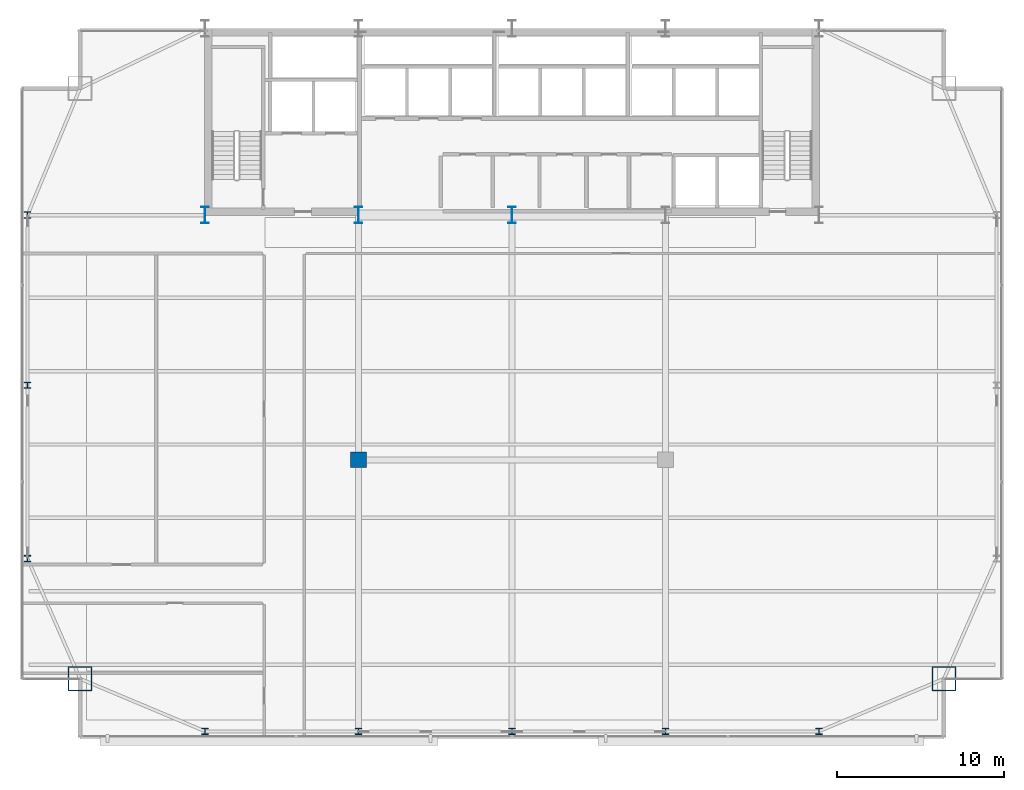
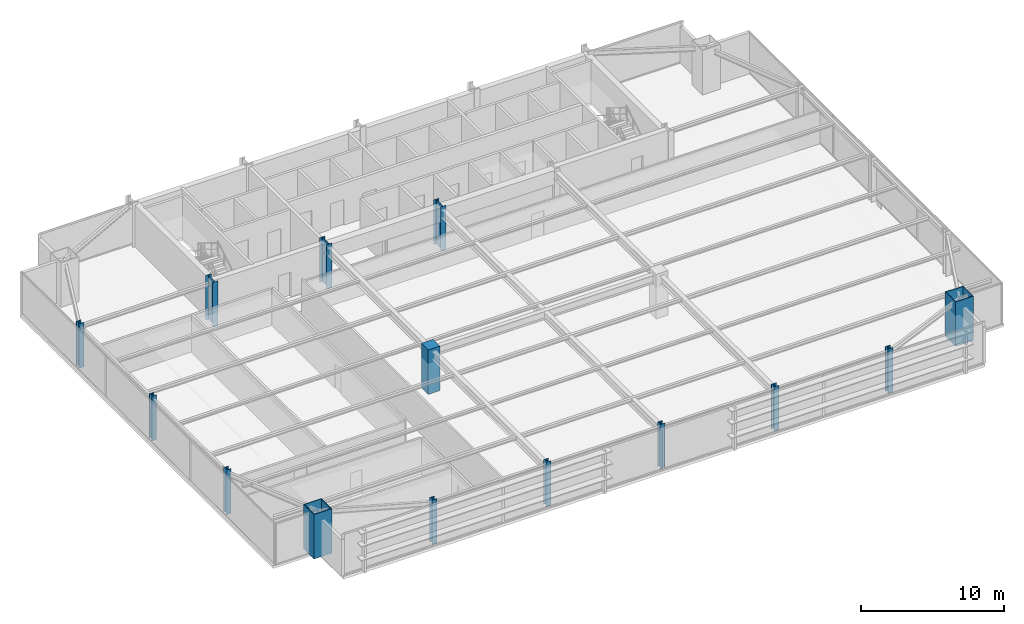
# One storey, part 1 of 32: 14 columns.
"""IFC4 building model written with IfcOpenShell, lengths in metres."""

from ifc_helpers import new_model, si_unit, direction, frame, origin, origin_2d, place, context, subcontext, project, spatial, rectangle, hollow_rectangle, i_section, extrude, source, transform, mapped, material, material_profile, profile_set, type_object, type_shapes, element, save


model = new_model("IFC4")

# Units and contexts
model_context = context("Model", 3, precision=1e-05, world=origin(), true_north=direction((0.0, 1.0)))
body_context = subcontext(model_context, "Body", "Model", "MODEL_VIEW")
ifc_project = project(units=[si_unit("LENGTHUNIT", "METRE"), si_unit("AREAUNIT", "SQUARE_METRE"), si_unit("VOLUMEUNIT", "CUBIC_METRE"), si_unit("PLANEANGLEUNIT", "RADIAN"), si_unit("MASSUNIT", "GRAM", prefix="KILO")], contexts=[model_context])

# Site, building, storey
site_placement = place(None, origin())
site = spatial("IfcSite", under=ifc_project, at=site_placement, CompositionType="ELEMENT")
building_placement = place(site_placement, origin())
building = spatial("IfcBuilding", under=site, at=building_placement, Name="Varnel Quay Broadcast Tower", CompositionType="ELEMENT")
storey_placement = place(building_placement, frame((0.0, 0.0, 90.800048828125)))
storey = spatial("IfcBuildingStorey", under=building, at=storey_placement, Name="L21", CompositionType="ELEMENT", Elevation=90.800048828125)

# Columns
ifc_material_1 = material(Name="Structural Steel CSA G40.21 350WT", Category="steel")
ifc_material_profile_1 = material_profile(ifc_material_1, i_section(OverallWidth=0.449951171875, OverallDepth=1.0, WebThickness=0.01611328125, FlangeThickness=0.030029296875, FilletRadius=0.01611328125, at=origin_2d()), Name="WWF1000X362")
ifc_profile_set_1 = profile_set([ifc_material_profile_1], Name="Structural Steel CSA G40.21 350WT")
column_type_1 = type_object("IfcColumnType", Name="Col_WWF1000X362", PredefinedType="COLUMN", material=ifc_profile_set_1)
shared_shape_1 = source(origin(), body_context, "Body", "SweptSolid", [
    extrude(i_section(OverallWidth=0.449951171875, OverallDepth=1.0, WebThickness=0.01611328125, FlangeThickness=0.030029296875, FilletRadius=0.01611328125, at=origin_2d()), origin(), (0.0, 0.0, 1.0), 3.800048828125),
])
type_shapes(column_type_1, [shared_shape_1])
for number, where, z_axis, x_axis, name in (
    (1, (15.60009765625, 35.60009765625, 0.0), (0.0, 0.0, 1.0), (1.0, 0.0, 0.0), "L21 Column CC-S1"),
    (2, (24.800048828125, 35.60009765625, 0.0), (0.0, 0.0, 1.0), (1.0, 0.0, 0.0), "L21 Column CC-S2"),
    (3, (34.0, 35.60009765625, 0.0), (0.0, 0.0, 1.0), (1.0, 0.0, 0.0), "L21 Column CC-S3"),
):
    element("IfcColumn", number, at=place(storey_placement, frame(where, z_axis=z_axis, x_axis=x_axis)), inside=storey, type_object=column_type_1, Name=name, PredefinedType="COLUMN", context=body_context, shape_type="MappedRepresentation", body=[
        mapped(shared_shape_1, transform((0.0, 0.0, 0.0), x_axis=(1.0, 0.0, 0.0), y_axis=(0.0, 1.0, 0.0), z_axis=(0.0, 0.0, 1.0), scale=1.0)),
    ])
ifc_material_profile_2 = material_profile(ifc_material_1, hollow_rectangle(XDim=1.449951171875, YDim=1.449951171875, WallThickness=0.054931640625, at=origin_2d()), Name="BOX1450X1450X55")
ifc_profile_set_2 = profile_set([ifc_material_profile_2], Name="Structural Steel CSA G40.21 350WT")
column_type_2 = type_object("IfcColumnType", Name="Col_BOX1450X1450X55", PredefinedType="COLUMN", material=ifc_profile_set_2)
shared_shape_2 = source(origin(), body_context, "Body", "SweptSolid", [
    extrude(hollow_rectangle(XDim=1.449951171875, YDim=1.449951171875, WallThickness=0.054931640625, at=origin_2d()), origin(), (0.0, 0.0, 1.0), 3.800048828125),
])
type_shapes(column_type_2, [shared_shape_2])
for number, where, z_axis, x_axis, name in (
    (4, (8.10009765625, 7.800048828125, 0.0), (0.0, 0.0, 1.0), (1.0, 0.0, 0.0), "L21 Column MC-SW"),
    (5, (59.89990234375, 7.800048828125, 0.0), (0.0, 0.0, 1.0), (1.0, 0.0, 0.0), "L21 Column MC-SE"),
):
    element("IfcColumn", number, at=place(storey_placement, frame(where, z_axis=z_axis, x_axis=x_axis)), inside=storey, type_object=column_type_2, Name=name, PredefinedType="COLUMN", context=body_context, shape_type="MappedRepresentation", body=[
        mapped(shared_shape_2, transform((0.0, 0.0, 0.0), x_axis=(1.0, 0.0, 0.0), y_axis=(0.0, 1.0, 0.0), z_axis=(0.0, 0.0, 1.0), scale=1.0)),
    ])
ifc_material_2 = material(Name="Structural Steel CSA G40.21 350W", Category="steel")
ifc_material_profile_3 = material_profile(ifc_material_2, i_section(OverallWidth=0.39794921875, OverallDepth=0.386962890625, WebThickness=0.02099609375, FlangeThickness=0.033203125, FilletRadius=0.01806640625, at=origin_2d()), Name="W360X262")
ifc_profile_set_3 = profile_set([ifc_material_profile_3], Name="Structural Steel CSA G40.21 350W")
column_type_3 = type_object("IfcColumnType", Name="Col_W360X262", PredefinedType="COLUMN", material=ifc_profile_set_3)
shared_shape_3 = source(origin(), body_context, "Body", "SweptSolid", [
    extrude(i_section(OverallWidth=0.39794921875, OverallDepth=0.386962890625, WebThickness=0.02099609375, FlangeThickness=0.033203125, FilletRadius=0.01806640625, at=origin_2d()), origin(), (0.0, 0.0, 1.0), 3.800048828125),
])
type_shapes(column_type_3, [shared_shape_3])
for number, where, z_axis, x_axis, name in (
    (6, (15.60009765625, 4.64990234375, 0.0), (0.0, 0.0, 1.0), (1.0, 0.0, 0.0), "L21 Column TC-S1"),
    (7, (24.800048828125, 4.64990234375, 0.0), (0.0, 0.0, 1.0), (1.0, 0.0, 0.0), "L21 Column TC-S2"),
    (8, (34.0, 4.64990234375, 0.0), (0.0, 0.0, 1.0), (1.0, 0.0, 0.0), "L21 Column TC-S3"),
    (9, (43.199951171875, 4.64990234375, 0.0), (0.0, 0.0, 1.0), (1.0, 0.0, 0.0), "L21 Column TC-S4"),
    (10, (52.39990234375, 4.64990234375, 0.0), (0.0, 0.0, 1.0), (1.0, 0.0, 0.0), "L21 Column TC-S5"),
    (11, (4.949951171875, 15.0, 0.0), (0.0, 0.0, 1.0), (1.0, 0.0, 0.0), "L21 Column TC-W1"),
    (12, (4.949951171875, 25.39990234375, 0.0), (0.0, 0.0, 1.0), (1.0, 0.0, 0.0), "L21 Column TC-W2"),
    (13, (4.949951171875, 35.60009765625, 0.0), (0.0, 0.0, 1.0), (1.0, 0.0, 0.0), "L21 Column TC-W3"),
):
    element("IfcColumn", number, at=place(storey_placement, frame(where, z_axis=z_axis, x_axis=x_axis)), inside=storey, type_object=column_type_3, Name=name, PredefinedType="COLUMN", context=body_context, shape_type="MappedRepresentation", body=[
        mapped(shared_shape_3, transform((0.0, 0.0, 0.0), x_axis=(1.0, 0.0, 0.0), y_axis=(0.0, 1.0, 0.0), z_axis=(0.0, 0.0, 1.0), scale=1.0)),
    ])
ifc_material_3 = material(Name="Concrete CSA A23.3 C50/60", Category="concrete")
ifc_material_profile_4 = material_profile(ifc_material_3, rectangle(XDim=0.949951171875, YDim=0.949951171875, at=origin_2d()), Name="RC950X950")
ifc_profile_set_4 = profile_set([ifc_material_profile_4], Name="Concrete CSA A23.3 C50/60")
column_type_4 = type_object("IfcColumnType", Name="Col_RC950X950", PredefinedType="COLUMN", material=ifc_profile_set_4)
shared_shape_4 = source(origin(), body_context, "Body", "SweptSolid", [
    extrude(rectangle(XDim=0.949951171875, YDim=0.949951171875, at=origin_2d()), origin(), (0.0, 0.0, 1.0), 3.800048828125),
])
type_shapes(column_type_4, [shared_shape_4])
column_placement = place(storey_placement, frame((24.800048828125, 20.929931640625, 0.0), z_axis=(0.0, 0.0, 1.0), x_axis=(1.0, 0.0, 0.0)))
element("IfcColumn", 14, at=column_placement, inside=storey, type_object=column_type_4, Name="L21 Column IC-01", PredefinedType="COLUMN", context=body_context, shape_type="MappedRepresentation", body=[
    mapped(shared_shape_4, transform((0.0, 0.0, 0.0), x_axis=(1.0, 0.0, 0.0), y_axis=(0.0, 1.0, 0.0), z_axis=(0.0, 0.0, 1.0), scale=1.0)),
])

save(model, "model.ifc")
